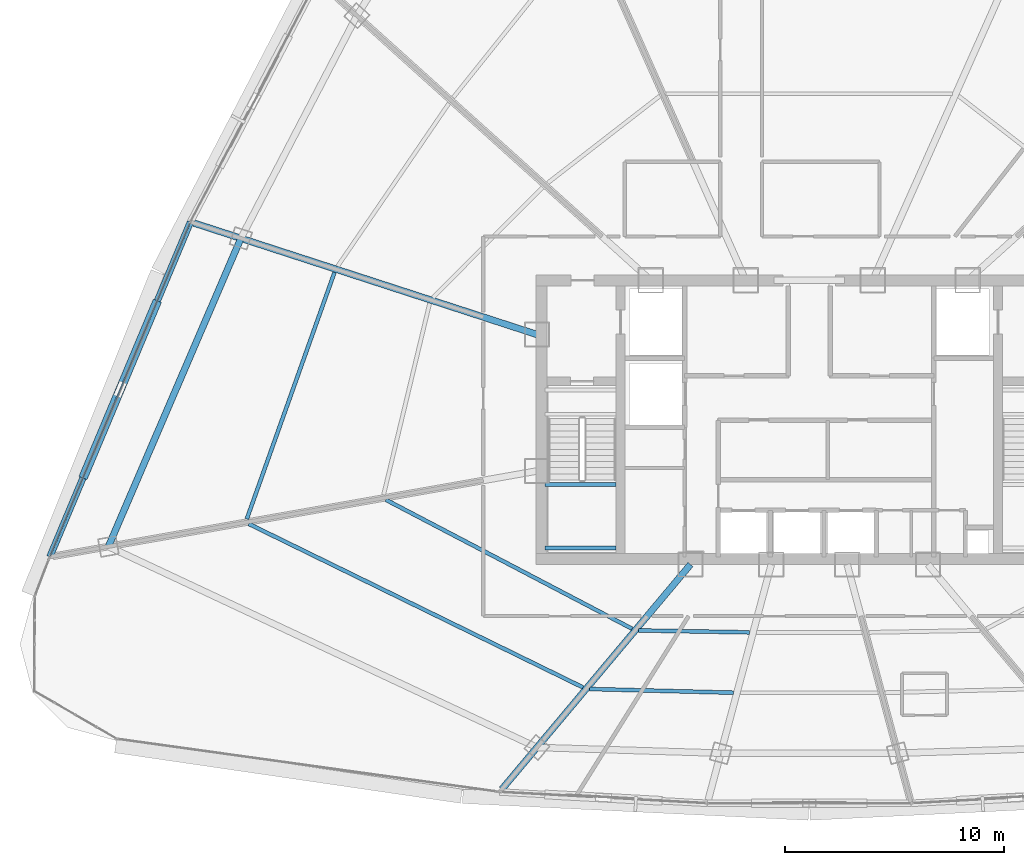
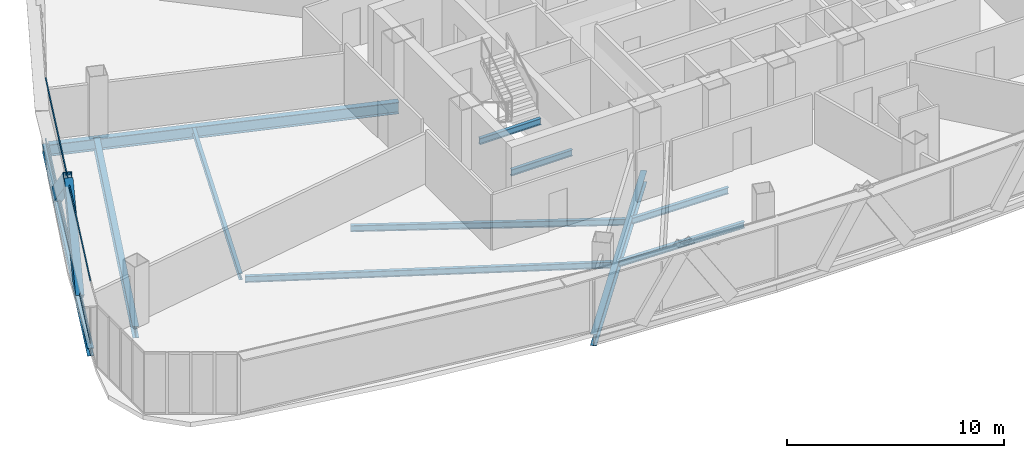
# One storey, part 7 of 36: 11 beams, 4 members, 1 element without a shape of its own.
"""IFC4 building model written with IfcOpenShell, lengths in metres."""

from ifc_helpers import new_model, si_unit, direction, frame, origin, origin_2d, place, context, subcontext, project, spatial, hollow_rectangle, i_section, extrude, source, transform, mapped, material, layer, layer_set, material_profile, profile_set, type_object, element, aggregate, save


model = new_model("IFC4")

# Units and contexts
model_context = context("Model", 3, precision=1e-05, world=origin(), true_north=direction((0.0, 1.0)))
body_context = subcontext(model_context, "Body", "Model", "MODEL_VIEW")
ifc_project = project(units=[si_unit("LENGTHUNIT", "METRE"), si_unit("AREAUNIT", "SQUARE_METRE"), si_unit("VOLUMEUNIT", "CUBIC_METRE"), si_unit("PLANEANGLEUNIT", "RADIAN"), si_unit("MASSUNIT", "GRAM", prefix="KILO"), si_unit("THERMODYNAMICTEMPERATUREUNIT", "KELVIN"), si_unit("POWERUNIT", "WATT")], contexts=[model_context])

# Site, building, storey
site_placement = place(None, origin())
site = spatial("IfcSite", under=ifc_project, at=site_placement, CompositionType="ELEMENT")
building_placement = place(site_placement, origin())
building = spatial("IfcBuilding", under=site, at=building_placement, Name="Yunzhuo Pagoda Commons", CompositionType="ELEMENT")
storey_placement = place(building_placement, frame((0.0, 0.0, 244.530029296875)))
storey = spatial("IfcBuildingStorey", under=building, at=storey_placement, Name="L61", CompositionType="ELEMENT", Elevation=244.530029296875)

# Beams
ifc_material_1 = material(Name="Structural steel Q355B", Category="steel")
ifc_material_profile_1 = material_profile(ifc_material_1, i_section(OverallWidth=0.175048828125, OverallDepth=0.35009765625, WebThickness=0.007080078125, FlangeThickness=0.010986328125, at=origin_2d()), Name="Structural steel Q355B")
ifc_profile_set_1 = profile_set([ifc_material_profile_1], Name="Structural steel Q355B")
beam_type_1 = type_object("IfcBeamType", Name="B-JS2 Joist HN 350x175x7x11", PredefinedType="JOIST", material=ifc_profile_set_1)
shared_shape_1 = source(origin(), body_context, "Body", "SweptSolid", [
    extrude(i_section(OverallWidth=0.175048828125, OverallDepth=0.35009765625, WebThickness=0.007080078125, FlangeThickness=0.010986328125, at=origin_2d()), origin(), (0.0, 0.0, 1.0), 3.25),
])
for number, where, z_axis, x_axis, name in (
    (1, (35.949951171875, 28.0, 1.490234375), (1.0, 0.0, 0.0), (0.0, 1.0, 0.0), "L61 ST1 landing support beam 67A"),
    (2, (35.949951171875, 30.89990234375, 1.490234375), (1.0, 0.0, 0.0), (0.0, 1.0, 0.0), "L61 ST1 landing support beam 67B"),
):
    element("IfcBeam", number, at=place(storey_placement, frame(where, z_axis=z_axis, x_axis=x_axis)), inside=storey, type_object=beam_type_1, Name=name, PredefinedType="JOIST", context=body_context, shape_type="MappedRepresentation", body=[
        mapped(shared_shape_1, transform((0.0, 0.0, 0.0), scale=1.0)),
    ])
ifc_material_profile_2 = material_profile(ifc_material_1, i_section(OverallWidth=0.300048828125, OverallDepth=0.64990234375, WebThickness=0.012939453125, FlangeThickness=0.02197265625, at=origin_2d()), Name="Structural steel Q355B")
ifc_profile_set_2 = profile_set([ifc_material_profile_2], Name="Structural steel Q355B")
beam_type_2 = type_object("IfcBeamType", Name="B-RG2 Beam HN 650x300x13x22", PredefinedType="BEAM", material=ifc_profile_set_2)
shared_shape_2 = source(origin(), body_context, "Body", "SweptSolid", [
    extrude(i_section(OverallWidth=0.300048828125, OverallDepth=0.64990234375, WebThickness=0.012939453125, FlangeThickness=0.02197265625, at=origin_2d()), origin(), (0.0, 0.0, 1.0), 15.287841796875),
])
beam_1_placement = place(storey_placement, frame((22.101806640625, 42.114990234375, -0.5849609375), z_axis=(-0.394815333819, -0.918760497726, 0.0), x_axis=(0.918760497726, -0.394815333819, 0.0)))
element("IfcBeam", 3, at=beam_1_placement, inside=storey, type_object=beam_type_2, Name="L61 column-ring beam 11", PredefinedType="BEAM", context=body_context, shape_type="MappedRepresentation", body=[
    mapped(shared_shape_2, transform((0.0, 0.0, 0.0), scale=1.0)),
])
shared_shape_3 = source(origin(), body_context, "Body", "SweptSolid", [
    extrude(i_section(OverallWidth=0.175048828125, OverallDepth=0.35009765625, WebThickness=0.007080078125, FlangeThickness=0.010986328125, at=origin_2d()), origin(), (0.0, 0.0, 1.0), 5.0556640625),
])
beam_2_placement = place(storey_placement, frame((40.228515625, 24.24609375, -0.43505859375), z_axis=(0.999848878561, -0.017384477, 0.0), x_axis=(0.017384477, 0.999848878561, 0.0)))
element("IfcBeam", 4, at=beam_2_placement, inside=storey, type_object=beam_type_1, Name="L61 composite ring joist 1.1", PredefinedType="JOIST", context=body_context, shape_type="MappedRepresentation", body=[
    mapped(shared_shape_3, transform((0.0, 0.0, 0.0), scale=1.0)),
])
shared_shape_4 = source(origin(), body_context, "Body", "SweptSolid", [
    extrude(i_section(OverallWidth=0.175048828125, OverallDepth=0.35009765625, WebThickness=0.007080078125, FlangeThickness=0.010986328125, at=origin_2d()), origin(), (0.0, 0.0, 1.0), 6.558349609375),
])
beam_3_placement = place(storey_placement, frame((37.990234375, 21.577392578125, -0.43505859375), z_axis=(0.99966910323, -0.025723220017, 0.0), x_axis=(0.025723220017, 0.99966910323, 0.0)))
element("IfcBeam", 5, at=beam_3_placement, inside=storey, type_object=beam_type_1, Name="L61 composite ring joist 2.1", PredefinedType="JOIST", context=body_context, shape_type="MappedRepresentation", body=[
    mapped(shared_shape_4, transform((0.0, 0.0, 0.0), scale=1.0)),
])
shared_shape_5 = source(origin(), body_context, "Body", "SweptSolid", [
    extrude(i_section(OverallWidth=0.175048828125, OverallDepth=0.35009765625, WebThickness=0.007080078125, FlangeThickness=0.010986328125, at=origin_2d()), origin(), (0.0, 0.0, 1.0), 12.666259765625),
])
beam_4_placement = place(storey_placement, frame((28.70849609375, 30.19970703125, -0.43505859375), z_axis=(0.885841344078, -0.463988268302, 0.0), x_axis=(0.463988268302, 0.885841344078, 0.0)))
element("IfcBeam", 6, at=beam_4_placement, inside=storey, type_object=beam_type_1, Name="L61 composite ring joist 1.12", PredefinedType="JOIST", context=body_context, shape_type="MappedRepresentation", body=[
    mapped(shared_shape_5, transform((0.0, 0.0, 0.0), scale=1.0)),
])
shared_shape_6 = source(origin(), body_context, "Body", "SweptSolid", [
    extrude(i_section(OverallWidth=0.175048828125, OverallDepth=0.35009765625, WebThickness=0.007080078125, FlangeThickness=0.010986328125, at=origin_2d()), origin(), (0.0, 0.0, 1.0), 16.95361328125),
])
beam_5_placement = place(storey_placement, frame((22.459716796875, 29.101806640625, -0.43505859375), z_axis=(0.898261717675, -0.439460904473, 0.0), x_axis=(0.439460904473, 0.898261717675, 0.0)))
element("IfcBeam", 7, at=beam_5_placement, inside=storey, type_object=beam_type_1, Name="L61 composite ring joist 2.12", PredefinedType="JOIST", context=body_context, shape_type="MappedRepresentation", body=[
    mapped(shared_shape_6, transform((0.0, 0.0, 0.0), scale=1.0)),
])
shared_shape_7 = source(origin(), body_context, "Body", "SweptSolid", [
    extrude(i_section(OverallWidth=0.175048828125, OverallDepth=0.35009765625, WebThickness=0.007080078125, FlangeThickness=0.010986328125, at=origin_2d()), origin(), (0.0, 0.0, 1.0), 11.929931640625),
])
beam_6_placement = place(storey_placement, frame((26.36767578125, 40.5615234375, -0.43505859375), z_axis=(-0.335086374925, -0.942187413066, 0.0), x_axis=(0.942187413066, -0.335086374925, 0.0)))
element("IfcBeam", 8, at=beam_6_placement, inside=storey, type_object=beam_type_1, Name="L61 composite ring joist 2.11", PredefinedType="JOIST", context=body_context, shape_type="MappedRepresentation", body=[
    mapped(shared_shape_7, transform((0.0, 0.0, 0.0), scale=1.0)),
])
shared_shape_8 = source(origin(), body_context, "Body", "SweptSolid", [
    extrude(i_section(OverallWidth=0.300048828125, OverallDepth=0.64990234375, WebThickness=0.012939453125, FlangeThickness=0.02197265625, at=origin_2d()), origin(), (0.0, 0.0, 1.0), 13.375),
])
beam_7_placement = place(storey_placement, frame((33.99072265625, 17.00390625, -0.5849609375), z_axis=(0.6427733277, 0.766056426902, 0.0), x_axis=(-0.766056426902, 0.6427733277, 0.0)))
element("IfcBeam", 9, at=beam_7_placement, inside=storey, type_object=beam_type_2, Name="L61 radial floor girder F1C1", PredefinedType="BEAM", context=body_context, shape_type="MappedRepresentation", body=[
    mapped(shared_shape_8, transform((0.0, 0.0, 0.0), scale=1.0)),
])
shared_shape_9 = source(origin(), body_context, "Body", "SweptSolid", [
    extrude(i_section(OverallWidth=0.300048828125, OverallDepth=0.64990234375, WebThickness=0.012939453125, FlangeThickness=0.02197265625, at=origin_2d()), origin(), (0.0, 0.0, 1.0), 16.453125),
])
beam_8_placement = place(storey_placement, frame((19.9521484375, 42.813232421875, -0.5849609375), z_axis=(0.951058273777, -0.30901158535, 0.0), x_axis=(0.30901158535, 0.951058273777, 0.0)))
element("IfcBeam", 10, at=beam_8_placement, inside=storey, type_object=beam_type_2, Name="L61 radial floor girder F3C3", PredefinedType="BEAM", context=body_context, shape_type="MappedRepresentation", body=[
    mapped(shared_shape_9, transform((0.0, 0.0, 0.0), scale=1.0)),
])
ifc_material_profile_3 = material_profile(ifc_material_1, i_section(OverallWidth=0.300048828125, OverallDepth=0.43994140625, WebThickness=0.010986328125, FlangeThickness=0.01806640625, at=origin_2d()), Name="Structural steel Q355B")
ifc_profile_set_3 = profile_set([ifc_material_profile_3], Name="Structural steel Q355B")
beam_type_3 = type_object("IfcBeamType", Name="B-SP2 Beam HM 440x300x11x18", PredefinedType="BEAM", material=ifc_profile_set_3)
shared_shape_10 = source(origin(), body_context, "Body", "SweptSolid", [
    extrude(i_section(OverallWidth=0.300048828125, OverallDepth=0.43994140625, WebThickness=0.010986328125, FlangeThickness=0.01806640625, at=origin_2d()), origin(), (0.0, 0.0, 1.0), 16.553955078125),
])
beam_9_placement = place(storey_placement, frame((19.804931640625, 42.861083984375, -0.47998046875), z_axis=(-0.38718584709, -0.922001691871, 0.0), x_axis=(0.922001691871, -0.38718584709, 0.0)))
element("IfcBeam", 11, at=beam_9_placement, inside=storey, type_object=beam_type_3, Name="L61 facade edge spandrel beam F3.3", PredefinedType="BEAM", context=body_context, shape_type="MappedRepresentation", body=[
    mapped(shared_shape_10, transform((0.0, 0.0, 0.0), scale=1.0)),
])

# Members
ifc_material_profile_4 = material_profile(ifc_material_1, hollow_rectangle(XDim=0.39990234375, YDim=0.719970703125, WallThickness=0.02392578125, at=origin_2d()), Name="Structural steel Q355B")
ifc_profile_set_4 = profile_set([ifc_material_profile_4], Name="Structural steel Q355B")
member_type_1 = type_object("IfcMemberType", Name="M-DL2 Brace BOX 720x400x24", PredefinedType="BRACE", material=ifc_profile_set_4)
shared_shape_11 = source(origin(), body_context, "Body", "SweptSolid", [
    extrude(hollow_rectangle(XDim=0.39990234375, YDim=0.719970703125, WallThickness=0.02392578125, at=origin_2d()), origin(), (0.0, 0.0, 1.0), 5.571044921875),
])
for number, where, z_axis, x_axis, name in (
    (12, (18.202392578125, 39.04541015625, -0.259765625), (-0.287606070571, -0.684899478433, 0.669474011902), (0.922006956735, -0.387173309684, 0.0), "L61 facade diamond brace F3.3L"),
    (13, (14.997802734375, 31.414306640625, -0.259765625), (0.287614702864, 0.684876211544, 0.669494105692), (-0.921998112724, 0.387194369965, 0.0), "L61 facade diamond brace F3.3R"),
):
    element("IfcMember", number, at=place(storey_placement, frame(where, z_axis=z_axis, x_axis=x_axis)), inside=storey, type_object=member_type_1, Name=name, PredefinedType="BRACE", context=body_context, shape_type="MappedRepresentation", body=[
        mapped(shared_shape_11, transform((0.0, 0.0, 0.0), scale=1.0)),
    ])

# Curtain wall, members
ifc_material_2 = material(Name="Anodized aluminium 6063-T6", Category="aluminium")
ifc_layer = layer(ifc_material_2, 0.139892578125)
ifc_layer_set = layer_set([ifc_layer], Name="Anodized aluminium 6063-T6")
curtain_wall_type = type_object("IfcCurtainWallType", Name="CW-HI High-Zone Ribbon Curtain Wall", PredefinedType="NOTDEFINED", material=ifc_layer_set)
curtain_wall_placement = place(storey_placement, origin())
curtain_wall = element("IfcCurtainWall", 14, at=curtain_wall_placement, inside=storey, type_object=curtain_wall_type, Name="L61 curtain wall CW-L61-F3B4", PredefinedType="NOTDEFINED")
ifc_material_profile_5 = material_profile(ifc_material_2, hollow_rectangle(XDim=0.054931640625, YDim=0.1201171875, WallThickness=0.00341796875, at=origin_2d()), Name="Anodized aluminium 6063-T6")
ifc_profile_set_5 = profile_set([ifc_material_profile_5], Name="Anodized aluminium 6063-T6")
member_type_2 = type_object("IfcMemberType", Name="CW-HI-T Transom RHS 120x55x3.5", PredefinedType="USERDEFINED", material=ifc_profile_set_5)
shared_shape_12 = source(origin(), body_context, "Body", "SweptSolid", [
    extrude(hollow_rectangle(XDim=0.054931640625, YDim=0.1201171875, WallThickness=0.00341796875, at=origin_2d()), origin(), (0.0, 0.0, 1.0), 16.433837890625),
])
member_1_placement = place(storey_placement, frame((19.781494140625, 42.805908203125, 0.027587890625), z_axis=(-0.38717616129, -0.922005759271, 0.0), x_axis=(0.922005759271, -0.38717616129, 0.0)))
member_1 = element("IfcMember", 15, at=member_1_placement, type_object=member_type_2, Name="CW transom 1.1", ObjectType="TRANSOM", PredefinedType="USERDEFINED", context=body_context, shape_type="MappedRepresentation", body=[
    mapped(shared_shape_12, transform((0.0, 0.0, 0.0), scale=1.0)),
])
member_2_placement = place(storey_placement, frame((19.781494140625, 42.805908203125, 3.4423828125), z_axis=(-0.38717616129, -0.922005759271, 0.0), x_axis=(0.922005759271, -0.38717616129, 0.0)))
member_2 = element("IfcMember", 16, at=member_2_placement, type_object=member_type_2, Name="CW transom 1.2", ObjectType="TRANSOM", PredefinedType="USERDEFINED", context=body_context, shape_type="MappedRepresentation", body=[
    mapped(shared_shape_12, transform((0.0, 0.0, 0.0), scale=1.0)),
])
aggregate(curtain_wall, [member_1, member_2])

save(model, "model.ifc")
